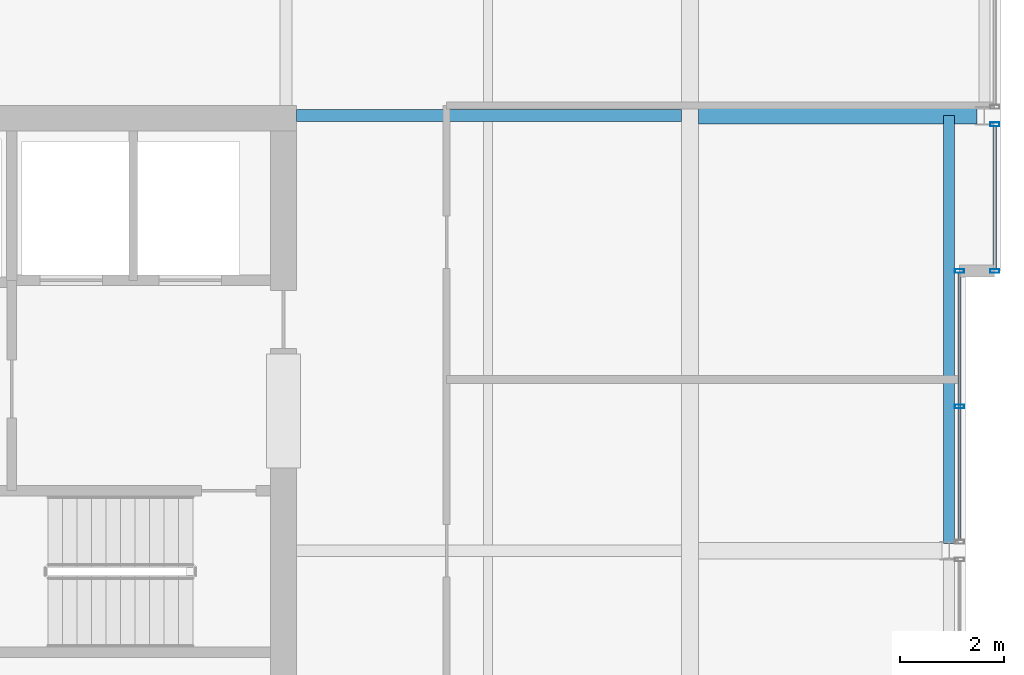
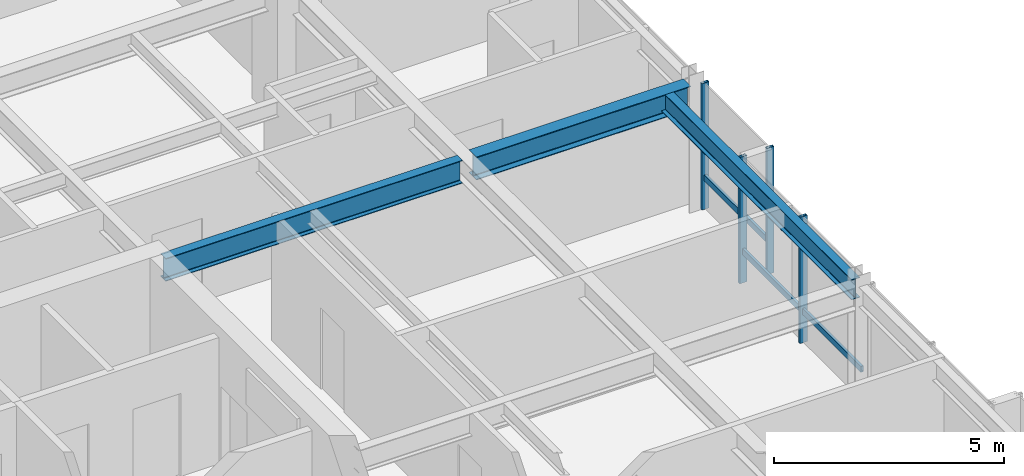
# One storey, part 19 of 34: 6 members, 3 beams, 2 elements without a shape of their own.
"""IFC4 building model written with IfcOpenShell, lengths in metres."""

from ifc_helpers import new_model, si_unit, direction, frame, origin, origin_2d, place, context, subcontext, project, spatial, hollow_rectangle, i_section, extrude, material, layer, layer_set, material_profile, profile_set, type_object, element, aggregate, save


model = new_model("IFC4")

# Units and contexts
model_context = context("Model", 3, precision=1e-05, world=origin(), true_north=direction((0.0, 1.0)))
body_context = subcontext(model_context, "Body", "Model", "MODEL_VIEW")
ifc_project = project(units=[si_unit("LENGTHUNIT", "METRE"), si_unit("AREAUNIT", "SQUARE_METRE"), si_unit("VOLUMEUNIT", "CUBIC_METRE"), si_unit("PLANEANGLEUNIT", "RADIAN"), si_unit("MASSUNIT", "GRAM", prefix="KILO")], contexts=[model_context])

# Site, building, storey
site_placement = place(None, origin())
site = spatial("IfcSite", under=ifc_project, at=site_placement, CompositionType="ELEMENT")
building_placement = place(site_placement, origin())
building = spatial("IfcBuilding", under=site, at=building_placement, Name="Drelvath Grand Hotel", CompositionType="ELEMENT")
storey_placement = place(building_placement, frame((0.0, 0.0, 290.550048828125)))
storey = spatial("IfcBuildingStorey", under=building, at=storey_placement, Name="L76", CompositionType="ELEMENT", Elevation=290.550048828125)

# Curtain wall, member
ifc_material_1 = material(Name="Platinum-Mist Anodised Aluminium Frame", Category="aluminium")
ifc_layer = layer(ifc_material_1, 0.199951171875)
ifc_layer_set = layer_set([ifc_layer], Name="Platinum-Mist Anodised Aluminium Frame")
curtain_wall_type = type_object("IfcCurtainWallType", Name="Stick Curtain Wall CW-05 Platinum Mist High-Rise", PredefinedType="NOTDEFINED", material=ifc_layer_set)
curtain_wall_1_placement = place(storey_placement, origin())
curtain_wall_1 = element("IfcCurtainWall", 1, at=curtain_wall_1_placement, inside=storey, type_object=curtain_wall_type, Name="L76 CW-05 Curtain Wall CW05-L76-EN1", PredefinedType="NOTDEFINED")
ifc_material_profile_1 = material_profile(ifc_material_1, hollow_rectangle(XDim=0.06494140625, YDim=0.159912109375, WallThickness=0.00390625, at=origin_2d()), Name="HSS160X65X4")
ifc_profile_set_1 = profile_set([ifc_material_profile_1], Name="Platinum-Mist Anodised Aluminium Frame")
member_type_1 = type_object("IfcMemberType", Name="Curtain Wall Horizontal Transom CW-05 HSS160X65X4", PredefinedType="USERDEFINED", material=ifc_profile_set_1)
member_1_placement = place(storey_placement, frame((22.080078125, 35.18994140625, 0.83740234375), z_axis=(0.0, -1.0, 0.0), x_axis=(1.0, 0.0, 0.0)))
member_1 = element("IfcMember", 2, at=member_1_placement, type_object=member_type_1, Name="CW05-L76-EN1 Sill Transom", ObjectType="TRANSOM", PredefinedType="USERDEFINED", context=body_context, shape_type="SweptSolid", body=[
    extrude(hollow_rectangle(XDim=0.06494140625, YDim=0.159912109375, WallThickness=0.00390625, at=origin_2d()), origin(), (0.0, 0.0, 1.0), 2.75),
])

curtain_wall_2_placement = place(storey_placement, origin())
curtain_wall_2 = element("IfcCurtainWall", 3, at=curtain_wall_2_placement, inside=storey, type_object=curtain_wall_type, Name="L76 CW-05 Curtain Wall CW05-L76-EM2", PredefinedType="NOTDEFINED")
member_2_placement = place(storey_placement, frame((21.39990234375, 32.360107421875, 0.83740234375), z_axis=(0.0, -1.0, 0.0), x_axis=(1.0, 0.0, 0.0)))
member_2 = element("IfcMember", 4, at=member_2_placement, type_object=member_type_1, Name="CW05-L76-EM2 Sill Transom", ObjectType="TRANSOM", PredefinedType="USERDEFINED", context=body_context, shape_type="SweptSolid", body=[
    extrude(hollow_rectangle(XDim=0.06494140625, YDim=0.159912109375, WallThickness=0.00390625, at=origin_2d()), origin(), (0.0, 0.0, 1.0), 5.150146484375),
])

# Member
ifc_material_profile_2 = material_profile(ifc_material_1, hollow_rectangle(XDim=0.074951171875, YDim=0.179931640625, WallThickness=0.0048828125, at=origin_2d()), Name="HSS180X75X5")
ifc_profile_set_2 = profile_set([ifc_material_profile_2], Name="Platinum-Mist Anodised Aluminium Frame")
member_type_2 = type_object("IfcMemberType", Name="Curtain Wall Vertical Mullion CW-05 HSS180X75X5", PredefinedType="MULLION", material=ifc_profile_set_2)
member_3_placement = place(storey_placement, frame((22.080078125, 35.22998046875, 0.0), z_axis=(0.0, 0.0, 1.0), x_axis=(0.0, 1.0, 0.0)))
member_3 = element("IfcMember", 5, at=member_3_placement, type_object=member_type_2, Name="CW05-L76-EN1 Mullion 1", PredefinedType="MULLION", context=body_context, shape_type="SweptSolid", body=[
    extrude(hollow_rectangle(XDim=0.074951171875, YDim=0.179931640625, WallThickness=0.0048828125, at=origin_2d()), origin(), (0.0, 0.0, 1.0), 3.349853515625),
])

member_4_placement = place(storey_placement, frame((22.080078125, 32.39990234375, 0.0), z_axis=(0.0, 0.0, 1.0), x_axis=(0.0, 1.0, 0.0)))
member_4 = element("IfcMember", 6, at=member_4_placement, type_object=member_type_2, Name="CW05-L76-EN1 Mullion 2", PredefinedType="MULLION", context=body_context, shape_type="SweptSolid", body=[
    extrude(hollow_rectangle(XDim=0.074951171875, YDim=0.179931640625, WallThickness=0.0048828125, at=origin_2d()), origin(), (0.0, 0.0, 1.0), 3.349853515625),
])

aggregate(curtain_wall_1, [member_3, member_4, member_1])

member_5_placement = place(storey_placement, frame((21.39990234375, 32.39990234375, 0.0), z_axis=(0.0, 0.0, 1.0), x_axis=(0.0, 1.0, 0.0)))
member_5 = element("IfcMember", 7, at=member_5_placement, type_object=member_type_2, Name="CW05-L76-EM2 Mullion 1", PredefinedType="MULLION", context=body_context, shape_type="SweptSolid", body=[
    extrude(hollow_rectangle(XDim=0.074951171875, YDim=0.179931640625, WallThickness=0.0048828125, at=origin_2d()), origin(), (0.0, 0.0, 1.0), 3.349853515625),
])

member_6_placement = place(storey_placement, frame((21.39990234375, 29.784912109375, 0.0), z_axis=(0.0, 0.0, 1.0), x_axis=(0.0, 1.0, 0.0)))
member_6 = element("IfcMember", 8, at=member_6_placement, type_object=member_type_2, Name="CW05-L76-EM2 Mullion 2", PredefinedType="MULLION", context=body_context, shape_type="SweptSolid", body=[
    extrude(hollow_rectangle(XDim=0.074951171875, YDim=0.179931640625, WallThickness=0.0048828125, at=origin_2d()), origin(), (0.0, 0.0, 1.0), 3.349853515625),
])

aggregate(curtain_wall_2, [member_5, member_6, member_2])

# Beams
ifc_material_2 = material(Name="Steel ASTM A992 Gr 50", Category="steel")
ifc_material_profile_3 = material_profile(ifc_material_2, i_section(OverallWidth=0.210205078125, OverallDepth=0.53662109375, WebThickness=0.010986328125, FlangeThickness=0.017333984375, FilletRadius=0.01806640625, at=origin_2d()), Name="W21X68")
ifc_profile_set_3 = profile_set([ifc_material_profile_3], Name="Steel ASTM A992 Gr 50")
beam_type_1 = type_object("IfcBeamType", Name="Perimeter Spandrel Beam W21X68", PredefinedType="SPANDREL", material=ifc_profile_set_3)
beam_1_placement = place(storey_placement, frame((21.199951171875, 27.139892578125, 3.08154296875), z_axis=(0.0, 1.0, 0.0), x_axis=(-1.0, 0.0, 0.0)))
element("IfcBeam", 9, at=beam_1_placement, inside=storey, type_object=beam_type_1, Name="L76 Spandrel East Mid N", PredefinedType="SPANDREL", context=body_context, shape_type="SweptSolid", body=[
    extrude(i_section(OverallWidth=0.210205078125, OverallDepth=0.53662109375, WebThickness=0.010986328125, FlangeThickness=0.017333984375, FilletRadius=0.01806640625, at=origin_2d()), origin(), (0.0, 0.0, 1.0), 8.260009765625),
])
ifc_material_profile_4 = material_profile(ifc_material_2, i_section(OverallWidth=0.323974609375, OverallDepth=0.611083984375, WebThickness=0.0126953125, FlangeThickness=0.01904296875, FilletRadius=0.02197265625, at=origin_2d()), Name="W24X104")
ifc_profile_set_4 = profile_set([ifc_material_profile_4], Name="Steel ASTM A992 Gr 50")
beam_type_2 = type_object("IfcBeamType", Name="Primary Floor Girder W24X104", PredefinedType="BEAM", material=ifc_profile_set_4)
beam_2_placement = place(storey_placement, frame((16.362060546875, 35.39990234375, 3.04443359375), z_axis=(1.0, 0.0, 0.0), x_axis=(0.0, 1.0, 0.0)))
element("IfcBeam", 10, at=beam_2_placement, inside=storey, type_object=beam_type_2, Name="L76 East Wing Girder F", PredefinedType="BEAM", context=body_context, shape_type="SweptSolid", body=[
    extrude(i_section(OverallWidth=0.323974609375, OverallDepth=0.611083984375, WebThickness=0.0126953125, FlangeThickness=0.01904296875, FilletRadius=0.02197265625, at=origin_2d()), origin(), (0.0, 0.0, 1.0), 5.3779296875),
])
ifc_material_profile_5 = material_profile(ifc_material_2, i_section(OverallWidth=0.228271484375, OverallDepth=0.607666015625, WebThickness=0.01123046875, FlangeThickness=0.017333984375, FilletRadius=0.02001953125, at=origin_2d()), Name="W24X76")
ifc_profile_set_5 = profile_set([ifc_material_profile_5], Name="Steel ASTM A992 Gr 50")
beam_type_3 = type_object("IfcBeamType", Name="Primary Floor Girder W24X76", PredefinedType="BEAM", material=ifc_profile_set_5)
beam_3_placement = place(storey_placement, frame((8.60009765625, 35.39990234375, 3.046142578125), z_axis=(1.0, 0.0, 0.0), x_axis=(0.0, 1.0, 0.0)))
element("IfcBeam", 11, at=beam_3_placement, inside=storey, type_object=beam_type_3, Name="L76 East Core Tie F", PredefinedType="BEAM", context=body_context, shape_type="SweptSolid", body=[
    extrude(i_section(OverallWidth=0.228271484375, OverallDepth=0.607666015625, WebThickness=0.01123046875, FlangeThickness=0.017333984375, FilletRadius=0.02001953125, at=origin_2d()), origin(), (0.0, 0.0, 1.0), 7.43798828125),
])

save(model, "model.ifc")
